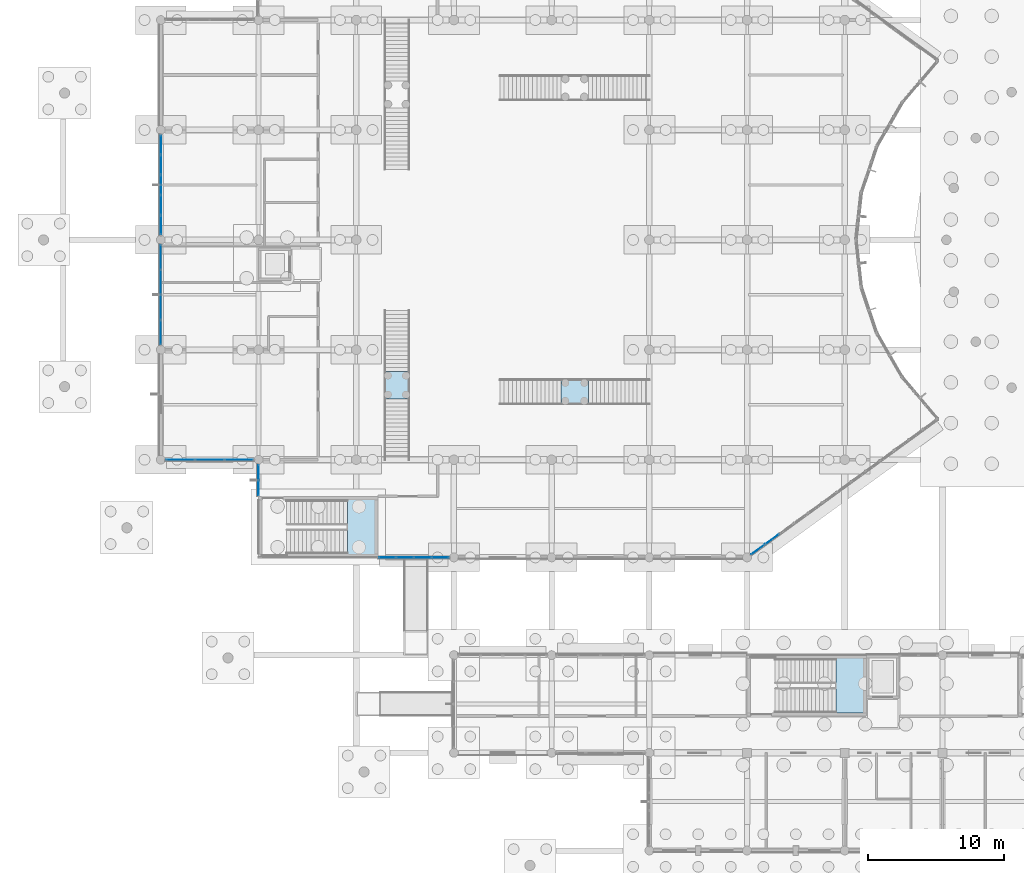
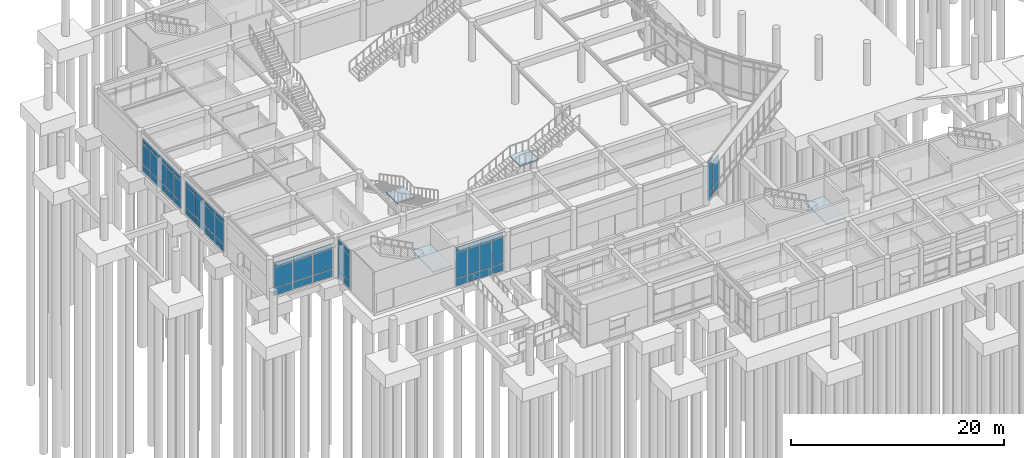
# One storey, part 41 of 103: 59 plates, 4 slabs, 10 elements without a shape of their own.
"""IFC4 building model written with IfcOpenShell, lengths in metres."""

from ifc_helpers import new_model, si_unit, direction, frame, origin, origin_2d, place, context, subcontext, project, spatial, polyline, rectangle, outline, extrude, material, layer, layer_set, type_object, element, aggregate, save


model = new_model("IFC4")

# Units and contexts
model_context = context("Model", 3, precision=1e-05, world=origin(), true_north=direction((0.0, 1.0)))
body_context = subcontext(model_context, "Body", "Model", "MODEL_VIEW")
ifc_project = project(units=[si_unit("LENGTHUNIT", "METRE"), si_unit("AREAUNIT", "SQUARE_METRE"), si_unit("VOLUMEUNIT", "CUBIC_METRE"), si_unit("PLANEANGLEUNIT", "RADIAN"), si_unit("MASSUNIT", "GRAM", prefix="KILO")], contexts=[model_context])

# Site, building, storey
site_placement = place(None, origin())
site = spatial("IfcSite", under=ifc_project, at=site_placement, CompositionType="ELEMENT")
building_placement = place(site_placement, origin())
building = spatial("IfcBuilding", under=site, at=building_placement, Name="Namkhue Oval Health Centre", CompositionType="ELEMENT")
storey_placement = place(building_placement, origin())
storey = spatial("IfcBuildingStorey", under=building, at=storey_placement, Name="L00", CompositionType="ELEMENT", Elevation=0.0)

# Curtain wall, plates
ifc_material_1 = material(Name="Anodised aluminium EN AW-6063 T6", Category="aluminium")
ifc_layer_1 = layer(ifc_material_1, 0.159912109375)
ifc_layer_set_1 = layer_set([ifc_layer_1], Name="Anodised aluminium EN AW-6063 T6")
curtain_wall_type_1 = type_object("IfcCurtainWallType", Name="UNITISED CURTAIN WALL M1200", PredefinedType="NOTDEFINED", material=ifc_layer_set_1)
curtain_wall_1_placement = place(storey_placement, origin())
curtain_wall_1 = element("IfcCurtainWall", 1, at=curtain_wall_1_placement, inside=storey, type_object=curtain_wall_type_1, Name="Volume V1 L00 Unitised Curtain Wall 1", PredefinedType="NOTDEFINED")
ifc_material_2 = material(Name="Thermally broken low-E laminated double glazing", Category="glass")
ifc_layer_2 = layer(ifc_material_2, 0.02587890625)
ifc_layer_set_2 = layer_set([ifc_layer_2], Name="Thermally broken low-E laminated double glazing")
plate_type_1 = type_object("IfcPlateType", Name="CURTAIN WALL GLAZED PANEL 26", PredefinedType="CURTAIN_PANEL", material=ifc_layer_set_2)
plate_1_placement = place(storey_placement, frame((31.08935546875, 36.0, 0.06494140625), z_axis=(0.0, 0.0, 1.0), x_axis=(1.0, 0.0, 0.0)))
plate_1 = element("IfcPlate", 2, at=plate_1_placement, type_object=plate_type_1, Name="CW-01 panel 1.1", PredefinedType="CURTAIN_PANEL", context=body_context, shape_type="SweptSolid", body=[
    extrude(rectangle(XDim=1.214599609375, YDim=0.02587890625, at=origin_2d()), origin(), (0.0, 0.0, 1.0), 0.802490234375),
])
plate_2_placement = place(storey_placement, frame((31.08935546875, 36.0, 0.9326171875), z_axis=(0.0, 0.0, 1.0), x_axis=(1.0, 0.0, 0.0)))
plate_2 = element("IfcPlate", 3, at=plate_2_placement, type_object=plate_type_1, Name="CW-01 panel 1.2", PredefinedType="CURTAIN_PANEL", context=body_context, shape_type="SweptSolid", body=[
    extrude(rectangle(XDim=1.214599609375, YDim=0.02587890625, at=origin_2d()), origin(), (0.0, 0.0, 1.0), 2.949951171875),
])
plate_3_placement = place(storey_placement, frame((31.08935546875, 36.0, 3.947265625), z_axis=(0.0, 0.0, 1.0), x_axis=(1.0, 0.0, 0.0)))
plate_3 = element("IfcPlate", 4, at=plate_3_placement, type_object=plate_type_1, Name="CW-01 panel 1.3", PredefinedType="CURTAIN_PANEL", context=body_context, shape_type="SweptSolid", body=[
    extrude(rectangle(XDim=1.214599609375, YDim=0.02587890625, at=origin_2d()), origin(), (0.0, 0.0, 1.0), 0.552490234375),
])
plate_4_placement = place(storey_placement, frame((32.385009765625, 36.0, 0.06494140625), z_axis=(0.0, 0.0, 1.0), x_axis=(1.0, 0.0, 0.0)))
plate_4 = element("IfcPlate", 5, at=plate_4_placement, type_object=plate_type_1, Name="CW-01 panel 2.1", PredefinedType="CURTAIN_PANEL", context=body_context, shape_type="SweptSolid", body=[
    extrude(rectangle(XDim=1.2470703125, YDim=0.02587890625, at=origin_2d()), origin(), (0.0, 0.0, 1.0), 0.802490234375),
])
plate_5_placement = place(storey_placement, frame((32.385009765625, 36.0, 0.9326171875), z_axis=(0.0, 0.0, 1.0), x_axis=(1.0, 0.0, 0.0)))
plate_5 = element("IfcPlate", 6, at=plate_5_placement, type_object=plate_type_1, Name="CW-01 panel 2.2", PredefinedType="CURTAIN_PANEL", context=body_context, shape_type="SweptSolid", body=[
    extrude(rectangle(XDim=1.2470703125, YDim=0.02587890625, at=origin_2d()), origin(), (0.0, 0.0, 1.0), 2.949951171875),
])
plate_6_placement = place(storey_placement, frame((32.385009765625, 36.0, 3.947265625), z_axis=(0.0, 0.0, 1.0), x_axis=(1.0, 0.0, 0.0)))
plate_6 = element("IfcPlate", 7, at=plate_6_placement, type_object=plate_type_1, Name="CW-01 panel 2.3", PredefinedType="CURTAIN_PANEL", context=body_context, shape_type="SweptSolid", body=[
    extrude(rectangle(XDim=1.2470703125, YDim=0.02587890625, at=origin_2d()), origin(), (0.0, 0.0, 1.0), 0.552490234375),
])
plate_7_placement = place(storey_placement, frame((33.697021484375, 36.0, 0.06494140625), z_axis=(0.0, 0.0, 1.0), x_axis=(1.0, 0.0, 0.0)))
plate_7 = element("IfcPlate", 8, at=plate_7_placement, type_object=plate_type_1, Name="CW-01 panel 3.1", PredefinedType="CURTAIN_PANEL", context=body_context, shape_type="SweptSolid", body=[
    extrude(rectangle(XDim=1.2470703125, YDim=0.02587890625, at=origin_2d()), origin(), (0.0, 0.0, 1.0), 0.802490234375),
])
plate_8_placement = place(storey_placement, frame((33.697021484375, 36.0, 0.9326171875), z_axis=(0.0, 0.0, 1.0), x_axis=(1.0, 0.0, 0.0)))
plate_8 = element("IfcPlate", 9, at=plate_8_placement, type_object=plate_type_1, Name="CW-01 panel 3.2", PredefinedType="CURTAIN_PANEL", context=body_context, shape_type="SweptSolid", body=[
    extrude(rectangle(XDim=1.2470703125, YDim=0.02587890625, at=origin_2d()), origin(), (0.0, 0.0, 1.0), 2.949951171875),
])
plate_9_placement = place(storey_placement, frame((33.697021484375, 36.0, 3.947265625), z_axis=(0.0, 0.0, 1.0), x_axis=(1.0, 0.0, 0.0)))
plate_9 = element("IfcPlate", 10, at=plate_9_placement, type_object=plate_type_1, Name="CW-01 panel 3.3", PredefinedType="CURTAIN_PANEL", context=body_context, shape_type="SweptSolid", body=[
    extrude(rectangle(XDim=1.2470703125, YDim=0.02587890625, at=origin_2d()), origin(), (0.0, 0.0, 1.0), 0.552490234375),
])
plate_10_placement = place(storey_placement, frame((34.99267578125, 36.0, 0.06494140625), z_axis=(0.0, 0.0, 1.0), x_axis=(1.0, 0.0, 0.0)))
plate_10 = element("IfcPlate", 11, at=plate_10_placement, type_object=plate_type_1, Name="CW-01 panel 4.1", PredefinedType="CURTAIN_PANEL", context=body_context, shape_type="SweptSolid", body=[
    extrude(rectangle(XDim=1.214599609375, YDim=0.02587890625, at=origin_2d()), origin(), (0.0, 0.0, 1.0), 0.802490234375),
])
plate_11_placement = place(storey_placement, frame((34.99267578125, 36.0, 0.9326171875), z_axis=(0.0, 0.0, 1.0), x_axis=(1.0, 0.0, 0.0)))
plate_11 = element("IfcPlate", 12, at=plate_11_placement, type_object=plate_type_1, Name="CW-01 panel 4.2", PredefinedType="CURTAIN_PANEL", context=body_context, shape_type="SweptSolid", body=[
    extrude(rectangle(XDim=1.214599609375, YDim=0.02587890625, at=origin_2d()), origin(), (0.0, 0.0, 1.0), 2.949951171875),
])
plate_12_placement = place(storey_placement, frame((34.99267578125, 36.0, 3.947265625), z_axis=(0.0, 0.0, 1.0), x_axis=(1.0, 0.0, 0.0)))
plate_12 = element("IfcPlate", 13, at=plate_12_placement, type_object=plate_type_1, Name="CW-01 panel 4.3", PredefinedType="CURTAIN_PANEL", context=body_context, shape_type="SweptSolid", body=[
    extrude(rectangle(XDim=1.214599609375, YDim=0.02587890625, at=origin_2d()), origin(), (0.0, 0.0, 1.0), 0.552490234375),
])
aggregate(curtain_wall_1, [plate_1, plate_2, plate_3, plate_4, plate_5, plate_6, plate_7, plate_8, plate_9, plate_10, plate_11, plate_12])

ifc_layer_3 = layer(ifc_material_1, 0.159912109375)
ifc_layer_set_3 = layer_set([ifc_layer_3], Name="Anodised aluminium EN AW-6063 T6")
curtain_wall_type_2 = type_object("IfcCurtainWallType", Name="UNITISED CURTAIN WALL M1800", PredefinedType="NOTDEFINED", material=ifc_layer_set_3)
curtain_wall_2_placement = place(storey_placement, origin())
curtain_wall_2 = element("IfcCurtainWall", 14, at=curtain_wall_2_placement, inside=storey, type_object=curtain_wall_type_2, Name="Volume V1 L00 Unitised Curtain Wall 17", PredefinedType="NOTDEFINED")
plate_13_placement = place(storey_placement, frame((14.39990234375, 58.1201171875, 0.06494140625), z_axis=(0.0, 0.0, 1.0), x_axis=(0.0, -1.0, 0.0)))
plate_13 = element("IfcPlate", 15, at=plate_13_placement, type_object=plate_type_1, Name="CW-05 panel 1.1", PredefinedType="CURTAIN_PANEL", context=body_context, shape_type="SweptSolid", body=[
    extrude(rectangle(XDim=1.760009765625, YDim=0.02587890625, at=origin_2d()), origin(), (0.0, 0.0, 1.0), 0.802490234375),
])
plate_14_placement = place(storey_placement, frame((14.39990234375, 58.1201171875, 0.9326171875), z_axis=(0.0, 0.0, 1.0), x_axis=(0.0, -1.0, 0.0)))
plate_14 = element("IfcPlate", 16, at=plate_14_placement, type_object=plate_type_1, Name="CW-05 panel 1.2", PredefinedType="CURTAIN_PANEL", context=body_context, shape_type="SweptSolid", body=[
    extrude(rectangle(XDim=1.760009765625, YDim=0.02587890625, at=origin_2d()), origin(), (0.0, 0.0, 1.0), 2.324951171875),
])
plate_15_placement = place(storey_placement, frame((14.39990234375, 58.1201171875, 3.322265625), z_axis=(0.0, 0.0, 1.0), x_axis=(0.0, -1.0, 0.0)))
plate_15 = element("IfcPlate", 17, at=plate_15_placement, type_object=plate_type_1, Name="CW-05 panel 1.3", PredefinedType="CURTAIN_PANEL", context=body_context, shape_type="SweptSolid", body=[
    extrude(rectangle(XDim=1.760009765625, YDim=0.02587890625, at=origin_2d()), origin(), (0.0, 0.0, 1.0), 0.552490234375),
])
plate_16_placement = place(storey_placement, frame((14.39990234375, 56.27880859375, 0.06494140625), z_axis=(0.0, 0.0, 1.0), x_axis=(0.0, -1.0, 0.0)))
plate_16 = element("IfcPlate", 18, at=plate_16_placement, type_object=plate_type_1, Name="CW-05 panel 2.1", PredefinedType="CURTAIN_PANEL", context=body_context, shape_type="SweptSolid", body=[
    extrude(rectangle(XDim=1.79248046875, YDim=0.02587890625, at=origin_2d()), origin(), (0.0, 0.0, 1.0), 0.802490234375),
])
plate_17_placement = place(storey_placement, frame((14.39990234375, 56.27880859375, 0.9326171875), z_axis=(0.0, 0.0, 1.0), x_axis=(0.0, -1.0, 0.0)))
plate_17 = element("IfcPlate", 19, at=plate_17_placement, type_object=plate_type_1, Name="CW-05 panel 2.2", PredefinedType="CURTAIN_PANEL", context=body_context, shape_type="SweptSolid", body=[
    extrude(rectangle(XDim=1.79248046875, YDim=0.02587890625, at=origin_2d()), origin(), (0.0, 0.0, 1.0), 2.324951171875),
])
plate_18_placement = place(storey_placement, frame((14.39990234375, 56.27880859375, 3.322265625), z_axis=(0.0, 0.0, 1.0), x_axis=(0.0, -1.0, 0.0)))
plate_18 = element("IfcPlate", 20, at=plate_18_placement, type_object=plate_type_1, Name="CW-05 panel 2.3", PredefinedType="CURTAIN_PANEL", context=body_context, shape_type="SweptSolid", body=[
    extrude(rectangle(XDim=1.79248046875, YDim=0.02587890625, at=origin_2d()), origin(), (0.0, 0.0, 1.0), 0.552490234375),
])
plate_19_placement = place(storey_placement, frame((14.39990234375, 54.421142578125, 0.06494140625), z_axis=(0.0, 0.0, 1.0), x_axis=(0.0, -1.0, 0.0)))
plate_19 = element("IfcPlate", 21, at=plate_19_placement, type_object=plate_type_1, Name="CW-05 panel 3.1", PredefinedType="CURTAIN_PANEL", context=body_context, shape_type="SweptSolid", body=[
    extrude(rectangle(XDim=1.79248046875, YDim=0.02587890625, at=origin_2d()), origin(), (0.0, 0.0, 1.0), 0.802490234375),
])
plate_20_placement = place(storey_placement, frame((14.39990234375, 54.421142578125, 0.9326171875), z_axis=(0.0, 0.0, 1.0), x_axis=(0.0, -1.0, 0.0)))
plate_20 = element("IfcPlate", 22, at=plate_20_placement, type_object=plate_type_1, Name="CW-05 panel 3.2", PredefinedType="CURTAIN_PANEL", context=body_context, shape_type="SweptSolid", body=[
    extrude(rectangle(XDim=1.79248046875, YDim=0.02587890625, at=origin_2d()), origin(), (0.0, 0.0, 1.0), 2.324951171875),
])
plate_21_placement = place(storey_placement, frame((14.39990234375, 54.421142578125, 3.322265625), z_axis=(0.0, 0.0, 1.0), x_axis=(0.0, -1.0, 0.0)))
plate_21 = element("IfcPlate", 23, at=plate_21_placement, type_object=plate_type_1, Name="CW-05 panel 3.3", PredefinedType="CURTAIN_PANEL", context=body_context, shape_type="SweptSolid", body=[
    extrude(rectangle(XDim=1.79248046875, YDim=0.02587890625, at=origin_2d()), origin(), (0.0, 0.0, 1.0), 0.552490234375),
])
plate_22_placement = place(storey_placement, frame((14.39990234375, 52.580078125, 0.06494140625), z_axis=(0.0, 0.0, 1.0), x_axis=(0.0, -1.0, 0.0)))
plate_22 = element("IfcPlate", 24, at=plate_22_placement, type_object=plate_type_1, Name="CW-05 panel 4.1", PredefinedType="CURTAIN_PANEL", context=body_context, shape_type="SweptSolid", body=[
    extrude(rectangle(XDim=1.760009765625, YDim=0.02587890625, at=origin_2d()), origin(), (0.0, 0.0, 1.0), 0.802490234375),
])
plate_23_placement = place(storey_placement, frame((14.39990234375, 52.580078125, 0.9326171875), z_axis=(0.0, 0.0, 1.0), x_axis=(0.0, -1.0, 0.0)))
plate_23 = element("IfcPlate", 25, at=plate_23_placement, type_object=plate_type_1, Name="CW-05 panel 4.2", PredefinedType="CURTAIN_PANEL", context=body_context, shape_type="SweptSolid", body=[
    extrude(rectangle(XDim=1.760009765625, YDim=0.02587890625, at=origin_2d()), origin(), (0.0, 0.0, 1.0), 2.324951171875),
])
plate_24_placement = place(storey_placement, frame((14.39990234375, 52.580078125, 3.322265625), z_axis=(0.0, 0.0, 1.0), x_axis=(0.0, -1.0, 0.0)))
plate_24 = element("IfcPlate", 26, at=plate_24_placement, type_object=plate_type_1, Name="CW-05 panel 4.3", PredefinedType="CURTAIN_PANEL", context=body_context, shape_type="SweptSolid", body=[
    extrude(rectangle(XDim=1.760009765625, YDim=0.02587890625, at=origin_2d()), origin(), (0.0, 0.0, 1.0), 0.552490234375),
])
aggregate(curtain_wall_2, [plate_13, plate_14, plate_15, plate_16, plate_17, plate_18, plate_19, plate_20, plate_21, plate_22, plate_23, plate_24])

ifc_layer_4 = layer(ifc_material_1, 0.159912109375)
ifc_layer_set_4 = layer_set([ifc_layer_4], Name="Anodised aluminium EN AW-6063 T6")
curtain_wall_type_3 = type_object("IfcCurtainWallType", Name="UNITISED CURTAIN WALL M1350", PredefinedType="NOTDEFINED", material=ifc_layer_set_4)
curtain_wall_3_placement = place(storey_placement, origin())
curtain_wall_3 = element("IfcCurtainWall", 27, at=curtain_wall_3_placement, inside=storey, type_object=curtain_wall_type_3, Name="Volume V1 L00 Unitised Curtain Wall 2", PredefinedType="NOTDEFINED")
ifc_layer_5 = layer(ifc_material_2, 0.028076171875)
ifc_layer_set_5 = layer_set([ifc_layer_5], Name="Thermally broken low-E laminated double glazing")
plate_type_2 = type_object("IfcPlateType", Name="CURTAIN WALL GLAZED PANEL 28", PredefinedType="CURTAIN_PANEL", material=ifc_layer_set_5)
plate_25_placement = place(storey_placement, frame((58.414794921875, 36.593017578125, 0.074951171875), z_axis=(0.0, 0.0, 1.0), x_axis=(0.808513999682, 0.588476942894, 0.0)))
plate_25 = element("IfcPlate", 28, at=plate_25_placement, type_object=plate_type_2, Name="CW-02 panel 1.1", PredefinedType="CURTAIN_PANEL", context=body_context, shape_type="SweptSolid", body=[
    extrude(rectangle(XDim=1.1953125, YDim=0.028076171875, at=origin_2d()), origin(), (0.0, 0.0, 1.0), 0.78759765625),
])
plate_26_placement = place(storey_placement, frame((58.414794921875, 36.593017578125, 0.9375), z_axis=(0.0, 0.0, 1.0), x_axis=(0.808513999682, 0.588476942894, 0.0)))
plate_26 = element("IfcPlate", 29, at=plate_26_placement, type_object=plate_type_2, Name="CW-02 panel 1.2", PredefinedType="CURTAIN_PANEL", context=body_context, shape_type="SweptSolid", body=[
    extrude(rectangle(XDim=1.1953125, YDim=0.028076171875, at=origin_2d()), origin(), (0.0, 0.0, 1.0), 2.93994140625),
])
plate_27_placement = place(storey_placement, frame((58.414794921875, 36.593017578125, 3.952392578125), z_axis=(0.0, 0.0, 1.0), x_axis=(0.808513999682, 0.588476942894, 0.0)))
plate_27 = element("IfcPlate", 30, at=plate_27_placement, type_object=plate_type_2, Name="CW-02 panel 1.3", PredefinedType="CURTAIN_PANEL", context=body_context, shape_type="SweptSolid", body=[
    extrude(rectangle(XDim=1.1953125, YDim=0.028076171875, at=origin_2d()), origin(), (0.0, 0.0, 1.0), 0.53759765625),
])
plate_28_placement = place(storey_placement, frame((59.45703125, 37.3515625, 0.074951171875), z_axis=(0.0, 0.0, 1.0), x_axis=(0.808513999682, 0.588476942894, 0.0)))
plate_28 = element("IfcPlate", 31, at=plate_28_placement, type_object=plate_type_2, Name="CW-02 panel 2.1", PredefinedType="CURTAIN_PANEL", context=body_context, shape_type="SweptSolid", body=[
    extrude(rectangle(XDim=1.23291015625, YDim=0.028076171875, at=origin_2d()), origin(), (0.0, 0.0, 1.0), 0.78759765625),
])
plate_29_placement = place(storey_placement, frame((59.45703125, 37.3515625, 0.9375), z_axis=(0.0, 0.0, 1.0), x_axis=(0.808513999682, 0.588476942894, 0.0)))
plate_29 = element("IfcPlate", 32, at=plate_29_placement, type_object=plate_type_2, Name="CW-02 panel 2.2", PredefinedType="CURTAIN_PANEL", context=body_context, shape_type="SweptSolid", body=[
    extrude(rectangle(XDim=1.23291015625, YDim=0.028076171875, at=origin_2d()), origin(), (0.0, 0.0, 1.0), 2.93994140625),
])
aggregate(curtain_wall_3, [plate_25, plate_26, plate_27, plate_28, plate_29])

ifc_layer_6 = layer(ifc_material_1, 0.159912109375)
ifc_layer_set_6 = layer_set([ifc_layer_6], Name="Anodised aluminium EN AW-6063 T6")
curtain_wall_type_4 = type_object("IfcCurtainWallType", Name="UNITISED CURTAIN WALL M2000", PredefinedType="NOTDEFINED", material=ifc_layer_set_6)
curtain_wall_4_placement = place(storey_placement, origin())
curtain_wall_4 = element("IfcCurtainWall", 33, at=curtain_wall_4_placement, inside=storey, type_object=curtain_wall_type_4, Name="Volume V1 L00 Unitised Curtain Wall 18", PredefinedType="NOTDEFINED")
plate_30_placement = place(storey_placement, frame((15.842041015625, 43.199951171875, 0.074951171875), z_axis=(0.0, 0.0, 1.0), x_axis=(1.0, 0.0, 0.0)))
plate_30 = element("IfcPlate", 34, at=plate_30_placement, type_object=plate_type_2, Name="CW-06 panel 1.1", PredefinedType="CURTAIN_PANEL", context=body_context, shape_type="SweptSolid", body=[
    extrude(rectangle(XDim=2.064208984375, YDim=0.028076171875, at=origin_2d()), origin(), (0.0, 0.0, 1.0), 0.78759765625),
])
plate_31_placement = place(storey_placement, frame((15.842041015625, 43.199951171875, 0.9375), z_axis=(0.0, 0.0, 1.0), x_axis=(1.0, 0.0, 0.0)))
plate_31 = element("IfcPlate", 35, at=plate_31_placement, type_object=plate_type_2, Name="CW-06 panel 1.2", PredefinedType="CURTAIN_PANEL", context=body_context, shape_type="SweptSolid", body=[
    extrude(rectangle(XDim=2.064208984375, YDim=0.028076171875, at=origin_2d()), origin(), (0.0, 0.0, 1.0), 2.31494140625),
])
plate_32_placement = place(storey_placement, frame((15.842041015625, 43.199951171875, 3.327392578125), z_axis=(0.0, 0.0, 1.0), x_axis=(1.0, 0.0, 0.0)))
plate_32 = element("IfcPlate", 36, at=plate_32_placement, type_object=plate_type_2, Name="CW-06 panel 1.3", PredefinedType="CURTAIN_PANEL", context=body_context, shape_type="SweptSolid", body=[
    extrude(rectangle(XDim=2.064208984375, YDim=0.028076171875, at=origin_2d()), origin(), (0.0, 0.0, 1.0), 0.53759765625),
])
plate_33_placement = place(storey_placement, frame((18.0, 43.199951171875, 0.074951171875), z_axis=(0.0, 0.0, 1.0), x_axis=(1.0, 0.0, 0.0)))
plate_33 = element("IfcPlate", 37, at=plate_33_placement, type_object=plate_type_2, Name="CW-06 panel 2.1", PredefinedType="CURTAIN_PANEL", context=body_context, shape_type="SweptSolid", body=[
    extrude(rectangle(XDim=2.1015625, YDim=0.028076171875, at=origin_2d()), origin(), (0.0, 0.0, 1.0), 0.78759765625),
])
plate_34_placement = place(storey_placement, frame((18.0, 43.199951171875, 0.9375), z_axis=(0.0, 0.0, 1.0), x_axis=(1.0, 0.0, 0.0)))
plate_34 = element("IfcPlate", 38, at=plate_34_placement, type_object=plate_type_2, Name="CW-06 panel 2.2", PredefinedType="CURTAIN_PANEL", context=body_context, shape_type="SweptSolid", body=[
    extrude(rectangle(XDim=2.1015625, YDim=0.028076171875, at=origin_2d()), origin(), (0.0, 0.0, 1.0), 2.31494140625),
])
plate_35_placement = place(storey_placement, frame((18.0, 43.199951171875, 3.327392578125), z_axis=(0.0, 0.0, 1.0), x_axis=(1.0, 0.0, 0.0)))
plate_35 = element("IfcPlate", 39, at=plate_35_placement, type_object=plate_type_2, Name="CW-06 panel 2.3", PredefinedType="CURTAIN_PANEL", context=body_context, shape_type="SweptSolid", body=[
    extrude(rectangle(XDim=2.1015625, YDim=0.028076171875, at=origin_2d()), origin(), (0.0, 0.0, 1.0), 0.53759765625),
])
plate_36_placement = place(storey_placement, frame((20.157958984375, 43.199951171875, 0.074951171875), z_axis=(0.0, 0.0, 1.0), x_axis=(1.0, 0.0, 0.0)))
plate_36 = element("IfcPlate", 40, at=plate_36_placement, type_object=plate_type_2, Name="CW-06 panel 3.1", PredefinedType="CURTAIN_PANEL", context=body_context, shape_type="SweptSolid", body=[
    extrude(rectangle(XDim=2.064208984375, YDim=0.028076171875, at=origin_2d()), origin(), (0.0, 0.0, 1.0), 0.78759765625),
])
plate_37_placement = place(storey_placement, frame((20.157958984375, 43.199951171875, 0.9375), z_axis=(0.0, 0.0, 1.0), x_axis=(1.0, 0.0, 0.0)))
plate_37 = element("IfcPlate", 41, at=plate_37_placement, type_object=plate_type_2, Name="CW-06 panel 3.2", PredefinedType="CURTAIN_PANEL", context=body_context, shape_type="SweptSolid", body=[
    extrude(rectangle(XDim=2.064208984375, YDim=0.028076171875, at=origin_2d()), origin(), (0.0, 0.0, 1.0), 2.31494140625),
])
plate_38_placement = place(storey_placement, frame((20.157958984375, 43.199951171875, 3.327392578125), z_axis=(0.0, 0.0, 1.0), x_axis=(1.0, 0.0, 0.0)))
plate_38 = element("IfcPlate", 42, at=plate_38_placement, type_object=plate_type_2, Name="CW-06 panel 3.3", PredefinedType="CURTAIN_PANEL", context=body_context, shape_type="SweptSolid", body=[
    extrude(rectangle(XDim=2.064208984375, YDim=0.028076171875, at=origin_2d()), origin(), (0.0, 0.0, 1.0), 0.53759765625),
])
aggregate(curtain_wall_4, [plate_30, plate_31, plate_32, plate_33, plate_34, plate_35, plate_36, plate_37, plate_38])

curtain_wall_5_placement = place(storey_placement, origin())
curtain_wall_5 = element("IfcCurtainWall", 43, at=curtain_wall_5_placement, inside=storey, type_object=curtain_wall_type_1, Name="Volume V1 L00 Unitised Curtain Wall 19", PredefinedType="NOTDEFINED")
ifc_material_3 = material(Name="Insulated anodised aluminium spandrel panel", Category="aluminium")
ifc_layer_7 = layer(ifc_material_3, 0.031982421875)
ifc_layer_set_7 = layer_set([ifc_layer_7], Name="Insulated anodised aluminium spandrel panel")
plate_type_3 = type_object("IfcPlateType", Name="CURTAIN WALL SPANDREL PANEL 32", PredefinedType="CURTAIN_PANEL", material=ifc_layer_set_7)
plate_39_placement = place(storey_placement, frame((21.60009765625, 42.26171875, 0.06494140625), z_axis=(0.0, 0.0, 1.0), x_axis=(0.0, -1.0, 0.0)))
plate_39 = element("IfcPlate", 44, at=plate_39_placement, type_object=plate_type_3, Name="CW-01 panel 1.1", PredefinedType="CURTAIN_PANEL", context=body_context, shape_type="SweptSolid", body=[
    extrude(rectangle(XDim=1.076416015625, YDim=0.031982421875, at=origin_2d()), origin(), (0.0, 0.0, 1.0), 0.802490234375),
])
plate_40_placement = place(storey_placement, frame((21.60009765625, 42.26171875, 0.9326171875), z_axis=(0.0, 0.0, 1.0), x_axis=(0.0, -1.0, 0.0)))
plate_40 = element("IfcPlate", 45, at=plate_40_placement, type_object=plate_type_3, Name="CW-01 panel 1.2", PredefinedType="CURTAIN_PANEL", context=body_context, shape_type="SweptSolid", body=[
    extrude(rectangle(XDim=1.076416015625, YDim=0.031982421875, at=origin_2d()), origin(), (0.0, 0.0, 1.0), 2.949951171875),
])
plate_41_placement = place(storey_placement, frame((21.60009765625, 42.26171875, 3.947265625), z_axis=(0.0, 0.0, 1.0), x_axis=(0.0, -1.0, 0.0)))
plate_41 = element("IfcPlate", 46, at=plate_41_placement, type_object=plate_type_3, Name="CW-01 panel 1.3", PredefinedType="CURTAIN_PANEL", context=body_context, shape_type="SweptSolid", body=[
    extrude(rectangle(XDim=1.076416015625, YDim=0.031982421875, at=origin_2d()), origin(), (0.0, 0.0, 1.0), 0.552490234375),
])
plate_42_placement = place(storey_placement, frame((21.60009765625, 41.120361328125, 0.06494140625), z_axis=(0.0, 0.0, 1.0), x_axis=(0.0, -1.0, 0.0)))
plate_42 = element("IfcPlate", 47, at=plate_42_placement, type_object=plate_type_3, Name="CW-01 panel 2.1", PredefinedType="CURTAIN_PANEL", context=body_context, shape_type="SweptSolid", body=[
    extrude(rectangle(XDim=1.076416015625, YDim=0.031982421875, at=origin_2d()), origin(), (0.0, 0.0, 1.0), 0.802490234375),
])
plate_43_placement = place(storey_placement, frame((21.60009765625, 41.120361328125, 0.9326171875), z_axis=(0.0, 0.0, 1.0), x_axis=(0.0, -1.0, 0.0)))
plate_43 = element("IfcPlate", 48, at=plate_43_placement, type_object=plate_type_3, Name="CW-01 panel 2.2", PredefinedType="CURTAIN_PANEL", context=body_context, shape_type="SweptSolid", body=[
    extrude(rectangle(XDim=1.076416015625, YDim=0.031982421875, at=origin_2d()), origin(), (0.0, 0.0, 1.0), 2.949951171875),
])
plate_44_placement = place(storey_placement, frame((21.60009765625, 41.120361328125, 3.947265625), z_axis=(0.0, 0.0, 1.0), x_axis=(0.0, -1.0, 0.0)))
plate_44 = element("IfcPlate", 49, at=plate_44_placement, type_object=plate_type_3, Name="CW-01 panel 2.3", PredefinedType="CURTAIN_PANEL", context=body_context, shape_type="SweptSolid", body=[
    extrude(rectangle(XDim=1.076416015625, YDim=0.031982421875, at=origin_2d()), origin(), (0.0, 0.0, 1.0), 0.552490234375),
])
aggregate(curtain_wall_5, [plate_39, plate_40, plate_41, plate_42, plate_43, plate_44])

ifc_layer_8 = layer(ifc_material_1, 0.159912109375)
ifc_layer_set_8 = layer_set([ifc_layer_8], Name="Anodised aluminium EN AW-6063 T6")
curtain_wall_type_5 = type_object("IfcCurtainWallType", Name="UNITISED CURTAIN WALL M1600", PredefinedType="NOTDEFINED", material=ifc_layer_set_8)
curtain_wall_6_placement = place(storey_placement, origin())
curtain_wall_6 = element("IfcCurtainWall", 50, at=curtain_wall_6_placement, inside=storey, type_object=curtain_wall_type_5, Name="Volume V1 L00 Unitised Curtain Wall 16", PredefinedType="NOTDEFINED")
ifc_layer_9 = layer(ifc_material_3, 0.035888671875)
ifc_layer_set_9 = layer_set([ifc_layer_9], Name="Insulated anodised aluminium spandrel panel")
plate_type_4 = type_object("IfcPlateType", Name="CURTAIN WALL SPANDREL PANEL 36", PredefinedType="CURTAIN_PANEL", material=ifc_layer_set_9)
plate_45_placement = place(storey_placement, frame((14.39990234375, 66.4033203125, 0.074951171875), z_axis=(0.0, 0.0, 1.0), x_axis=(0.0, -1.0, 0.0)))
plate_45 = element("IfcPlate", 51, at=plate_45_placement, type_object=plate_type_4, Name="CW-04 panel 1.1", PredefinedType="CURTAIN_PANEL", context=body_context, shape_type="SweptSolid", body=[
    extrude(rectangle(XDim=1.37353515625, YDim=0.035888671875, at=origin_2d()), origin(), (0.0, 0.0, 1.0), 0.78759765625),
])
plate_46_placement = place(storey_placement, frame((14.39990234375, 66.4033203125, 0.9375), z_axis=(0.0, 0.0, 1.0), x_axis=(0.0, -1.0, 0.0)))
plate_46 = element("IfcPlate", 52, at=plate_46_placement, type_object=plate_type_4, Name="CW-04 panel 1.2", PredefinedType="CURTAIN_PANEL", context=body_context, shape_type="SweptSolid", body=[
    extrude(rectangle(XDim=1.37353515625, YDim=0.035888671875, at=origin_2d()), origin(), (0.0, 0.0, 1.0), 2.31494140625),
])
plate_47_placement = place(storey_placement, frame((14.39990234375, 66.4033203125, 3.327392578125), z_axis=(0.0, 0.0, 1.0), x_axis=(0.0, -1.0, 0.0)))
plate_47 = element("IfcPlate", 53, at=plate_47_placement, type_object=plate_type_4, Name="CW-04 panel 1.3", PredefinedType="CURTAIN_PANEL", context=body_context, shape_type="SweptSolid", body=[
    extrude(rectangle(XDim=1.37353515625, YDim=0.035888671875, at=origin_2d()), origin(), (0.0, 0.0, 1.0), 0.53759765625),
])
plate_48_placement = place(storey_placement, frame((14.39990234375, 64.93603515625, 0.074951171875), z_axis=(0.0, 0.0, 1.0), x_axis=(0.0, -1.0, 0.0)))
plate_48 = element("IfcPlate", 54, at=plate_48_placement, type_object=plate_type_4, Name="CW-04 panel 2.1", PredefinedType="CURTAIN_PANEL", context=body_context, shape_type="SweptSolid", body=[
    extrude(rectangle(XDim=1.410888671875, YDim=0.035888671875, at=origin_2d()), origin(), (0.0, 0.0, 1.0), 0.78759765625),
])
plate_49_placement = place(storey_placement, frame((14.39990234375, 64.93603515625, 0.9375), z_axis=(0.0, 0.0, 1.0), x_axis=(0.0, -1.0, 0.0)))
plate_49 = element("IfcPlate", 55, at=plate_49_placement, type_object=plate_type_4, Name="CW-04 panel 2.2", PredefinedType="CURTAIN_PANEL", context=body_context, shape_type="SweptSolid", body=[
    extrude(rectangle(XDim=1.410888671875, YDim=0.035888671875, at=origin_2d()), origin(), (0.0, 0.0, 1.0), 2.31494140625),
])
plate_50_placement = place(storey_placement, frame((14.39990234375, 64.93603515625, 3.327392578125), z_axis=(0.0, 0.0, 1.0), x_axis=(0.0, -1.0, 0.0)))
plate_50 = element("IfcPlate", 56, at=plate_50_placement, type_object=plate_type_4, Name="CW-04 panel 2.3", PredefinedType="CURTAIN_PANEL", context=body_context, shape_type="SweptSolid", body=[
    extrude(rectangle(XDim=1.410888671875, YDim=0.035888671875, at=origin_2d()), origin(), (0.0, 0.0, 1.0), 0.53759765625),
])
plate_51_placement = place(storey_placement, frame((14.39990234375, 63.449951171875, 0.074951171875), z_axis=(0.0, 0.0, 1.0), x_axis=(0.0, -1.0, 0.0)))
plate_51 = element("IfcPlate", 57, at=plate_51_placement, type_object=plate_type_4, Name="CW-04 panel 3.1", PredefinedType="CURTAIN_PANEL", context=body_context, shape_type="SweptSolid", body=[
    extrude(rectangle(XDim=1.410888671875, YDim=0.035888671875, at=origin_2d()), origin(), (0.0, 0.0, 1.0), 0.78759765625),
])
plate_52_placement = place(storey_placement, frame((14.39990234375, 63.449951171875, 0.9375), z_axis=(0.0, 0.0, 1.0), x_axis=(0.0, -1.0, 0.0)))
plate_52 = element("IfcPlate", 58, at=plate_52_placement, type_object=plate_type_4, Name="CW-04 panel 3.2", PredefinedType="CURTAIN_PANEL", context=body_context, shape_type="SweptSolid", body=[
    extrude(rectangle(XDim=1.410888671875, YDim=0.035888671875, at=origin_2d()), origin(), (0.0, 0.0, 1.0), 2.31494140625),
])
plate_53_placement = place(storey_placement, frame((14.39990234375, 63.449951171875, 3.327392578125), z_axis=(0.0, 0.0, 1.0), x_axis=(0.0, -1.0, 0.0)))
plate_53 = element("IfcPlate", 59, at=plate_53_placement, type_object=plate_type_4, Name="CW-04 panel 3.3", PredefinedType="CURTAIN_PANEL", context=body_context, shape_type="SweptSolid", body=[
    extrude(rectangle(XDim=1.410888671875, YDim=0.035888671875, at=origin_2d()), origin(), (0.0, 0.0, 1.0), 0.53759765625),
])
plate_54_placement = place(storey_placement, frame((14.39990234375, 61.964111328125, 0.074951171875), z_axis=(0.0, 0.0, 1.0), x_axis=(0.0, -1.0, 0.0)))
plate_54 = element("IfcPlate", 60, at=plate_54_placement, type_object=plate_type_4, Name="CW-04 panel 4.1", PredefinedType="CURTAIN_PANEL", context=body_context, shape_type="SweptSolid", body=[
    extrude(rectangle(XDim=1.410888671875, YDim=0.035888671875, at=origin_2d()), origin(), (0.0, 0.0, 1.0), 0.78759765625),
])
plate_55_placement = place(storey_placement, frame((14.39990234375, 61.964111328125, 0.9375), z_axis=(0.0, 0.0, 1.0), x_axis=(0.0, -1.0, 0.0)))
plate_55 = element("IfcPlate", 61, at=plate_55_placement, type_object=plate_type_4, Name="CW-04 panel 4.2", PredefinedType="CURTAIN_PANEL", context=body_context, shape_type="SweptSolid", body=[
    extrude(rectangle(XDim=1.410888671875, YDim=0.035888671875, at=origin_2d()), origin(), (0.0, 0.0, 1.0), 2.31494140625),
])
plate_56_placement = place(storey_placement, frame((14.39990234375, 61.964111328125, 3.327392578125), z_axis=(0.0, 0.0, 1.0), x_axis=(0.0, -1.0, 0.0)))
plate_56 = element("IfcPlate", 62, at=plate_56_placement, type_object=plate_type_4, Name="CW-04 panel 4.3", PredefinedType="CURTAIN_PANEL", context=body_context, shape_type="SweptSolid", body=[
    extrude(rectangle(XDim=1.410888671875, YDim=0.035888671875, at=origin_2d()), origin(), (0.0, 0.0, 1.0), 0.53759765625),
])
plate_57_placement = place(storey_placement, frame((14.39990234375, 60.496826171875, 0.074951171875), z_axis=(0.0, 0.0, 1.0), x_axis=(0.0, -1.0, 0.0)))
plate_57 = element("IfcPlate", 63, at=plate_57_placement, type_object=plate_type_4, Name="CW-04 panel 5.1", PredefinedType="CURTAIN_PANEL", context=body_context, shape_type="SweptSolid", body=[
    extrude(rectangle(XDim=1.37353515625, YDim=0.035888671875, at=origin_2d()), origin(), (0.0, 0.0, 1.0), 0.78759765625),
])
plate_58_placement = place(storey_placement, frame((14.39990234375, 60.496826171875, 0.9375), z_axis=(0.0, 0.0, 1.0), x_axis=(0.0, -1.0, 0.0)))
plate_58 = element("IfcPlate", 64, at=plate_58_placement, type_object=plate_type_4, Name="CW-04 panel 5.2", PredefinedType="CURTAIN_PANEL", context=body_context, shape_type="SweptSolid", body=[
    extrude(rectangle(XDim=1.37353515625, YDim=0.035888671875, at=origin_2d()), origin(), (0.0, 0.0, 1.0), 2.31494140625),
])
plate_59_placement = place(storey_placement, frame((14.39990234375, 60.496826171875, 3.327392578125), z_axis=(0.0, 0.0, 1.0), x_axis=(0.0, -1.0, 0.0)))
plate_59 = element("IfcPlate", 65, at=plate_59_placement, type_object=plate_type_4, Name="CW-04 panel 5.3", PredefinedType="CURTAIN_PANEL", context=body_context, shape_type="SweptSolid", body=[
    extrude(rectangle(XDim=1.37353515625, YDim=0.035888671875, at=origin_2d()), origin(), (0.0, 0.0, 1.0), 0.53759765625),
])
aggregate(curtain_wall_6, [plate_45, plate_46, plate_47, plate_48, plate_49, plate_50, plate_51, plate_52, plate_53, plate_54, plate_55, plate_56, plate_57, plate_58, plate_59])

# Stair, slab
ifc_material_4 = material(Name="Reinforced concrete C30/37 (TCVN B35)", Category="concrete")
stair_type_1 = type_object("IfcStairType", Name="DOGLEG EXIT STAIR H4800", PredefinedType="HALF_TURN_STAIR", material=ifc_material_4)
stair_1_placement = place(storey_placement, origin())
stair_1 = element("IfcStair", 66, at=stair_1_placement, inside=storey, type_object=stair_type_1, Name="Protected Exit Stair ST-01 L00", PredefinedType="HALF_TURN_STAIR")
ifc_layer_10 = layer(ifc_material_4, 0.179931640625)
ifc_layer_set_10 = layer_set([ifc_layer_10], Name="Reinforced concrete C30/37 (TCVN B35)")
slab_type = type_object("IfcSlabType", Name="STAIR LANDING SLAB 180", PredefinedType="LANDING", material=ifc_layer_set_10)
slab_1_placement = place(storey_placement, frame((0.0, 0.0, 2.219970703125)))
slab_1 = element("IfcSlab", 67, at=slab_1_placement, type_object=slab_type, Name="ST-01 landing 1", PredefinedType="LANDING", context=body_context, shape_type="SweptSolid", body=[
    extrude(outline(polyline([(28.14501953125, 36.22509765625), (30.175048828125, 36.22509765625), (30.175048828125, 40.27490234375), (28.14501953125, 40.27490234375), (28.14501953125, 36.22509765625)])), origin(), (0.0, 0.0, 1.0), 0.179931640625),
])
aggregate(stair_1, [slab_1])

stair_2_placement = place(storey_placement, origin())
stair_2 = element("IfcStair", 68, at=stair_2_placement, inside=storey, type_object=stair_type_1, Name="Protected Exit Stair ST-07 L00", PredefinedType="HALF_TURN_STAIR")
slab_2_placement = place(storey_placement, frame((0.0, 0.0, 2.219970703125)))
slab_2 = element("IfcSlab", 69, at=slab_2_placement, type_object=slab_type, Name="ST-07 landing 1", PredefinedType="LANDING", context=body_context, shape_type="SweptSolid", body=[
    extrude(outline(polyline([(64.14501953125, 24.52490234375), (66.175048828125, 24.52490234375), (66.175048828125, 28.574951171875), (64.14501953125, 28.574951171875), (64.14501953125, 24.52490234375)])), origin(), (0.0, 0.0, 1.0), 0.179931640625),
])
aggregate(stair_2, [slab_2])

stair_type_2 = type_object("IfcStairType", Name="STRAIGHT FEATURE STAIR H4800", PredefinedType="STRAIGHT_RUN_STAIR", material=ifc_material_4)
stair_3_placement = place(storey_placement, origin())
stair_3 = element("IfcStair", 70, at=stair_3_placement, inside=storey, type_object=stair_type_2, Name="Waiting Hall South Straight Feature Stair", PredefinedType="STRAIGHT_RUN_STAIR")
slab_3_placement = place(storey_placement, frame((0.0, 0.0, 2.219970703125)))
slab_3 = element("IfcSlab", 71, at=slab_3_placement, type_object=slab_type, Name="ST-F01 landing 1", PredefinedType="LANDING", context=body_context, shape_type="SweptSolid", body=[
    extrude(outline(polyline([(43.89990234375, 47.25), (45.909912109375, 47.25), (45.909912109375, 49.14990234375), (43.89990234375, 49.14990234375), (43.89990234375, 47.25)])), origin(), (0.0, 0.0, 1.0), 0.179931640625),
])
aggregate(stair_3, [slab_3])

stair_4_placement = place(storey_placement, origin())
stair_4 = element("IfcStair", 72, at=stair_4_placement, inside=storey, type_object=stair_type_2, Name="Waiting Hall South Gallery Feature Stair", PredefinedType="STRAIGHT_RUN_STAIR")
slab_4_placement = place(storey_placement, frame((0.0, 0.0, 2.219970703125)))
slab_4 = element("IfcSlab", 73, at=slab_4_placement, type_object=slab_type, Name="ST-F04 landing 1", PredefinedType="LANDING", context=body_context, shape_type="SweptSolid", body=[
    extrude(outline(polyline([(30.85009765625, 49.699951171875), (30.85009765625, 47.68994140625), (32.75, 47.68994140625), (32.75, 49.699951171875), (30.85009765625, 49.699951171875)])), origin(), (0.0, 0.0, 1.0), 0.179931640625),
])
aggregate(stair_4, [slab_4])

save(model, "model.ifc")
